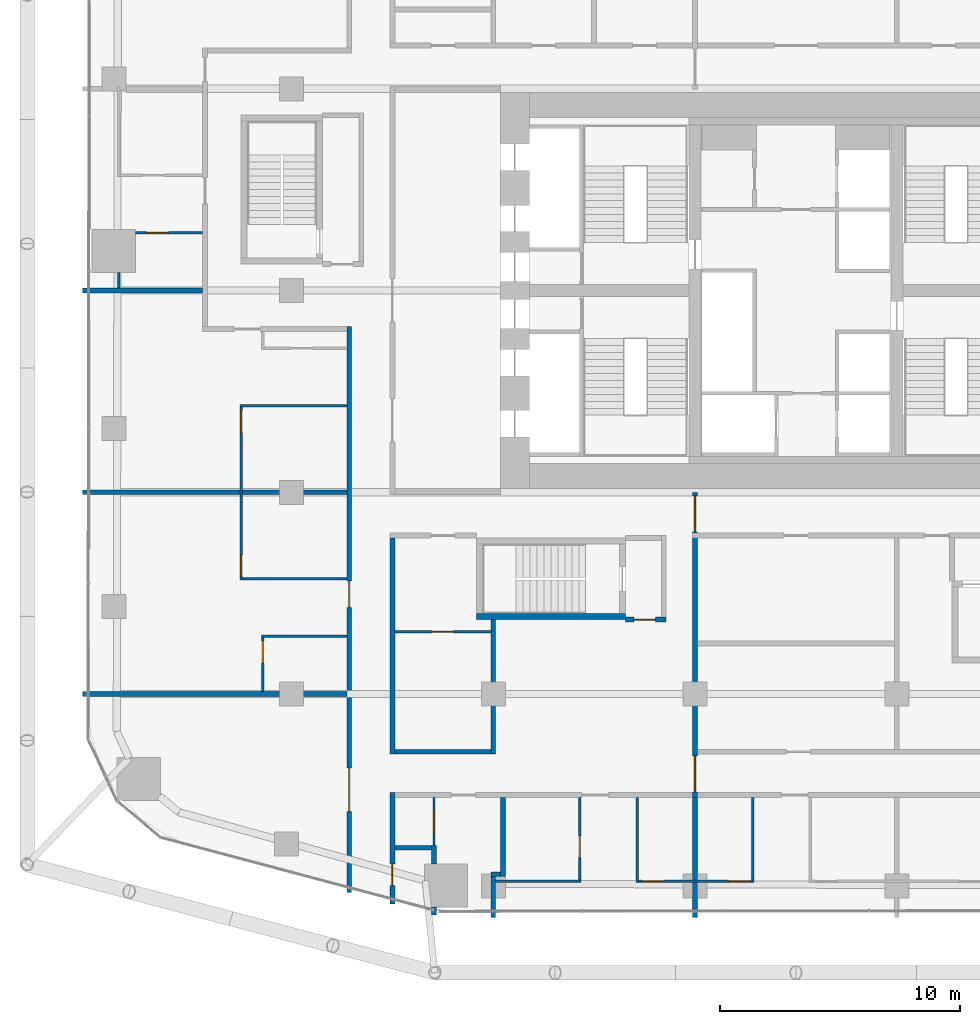
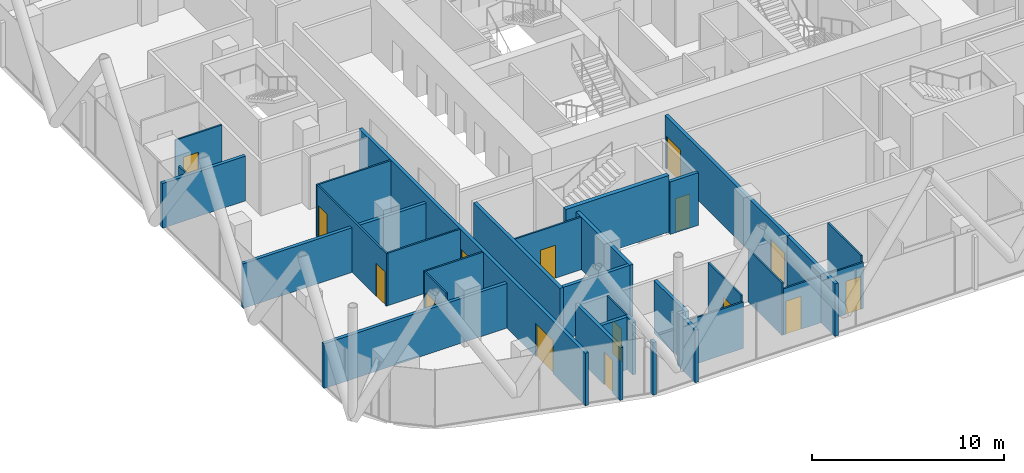
# One storey, part 24 of 34: 32 walls, 15 doors, 15 openings.
"""IFC4 building model written with IfcOpenShell, lengths in metres."""

from ifc_helpers import new_model, si_unit, direction, frame, frame_2d, origin, place, context, subcontext, project, spatial, rectangle, extrude, material, layer, layer_set, type_object, element, fill, save


model = new_model("IFC4")

# Units and contexts
model_context = context("Model", 3, precision=1e-05, world=origin(), true_north=direction((0.0, 1.0)))
body_context = subcontext(model_context, "Body", "Model", "MODEL_VIEW")
ifc_project = project(units=[si_unit("LENGTHUNIT", "METRE"), si_unit("AREAUNIT", "SQUARE_METRE"), si_unit("VOLUMEUNIT", "CUBIC_METRE"), si_unit("PLANEANGLEUNIT", "RADIAN"), si_unit("MASSUNIT", "GRAM", prefix="KILO")], contexts=[model_context])

# Site, building, storey
site_placement = place(None, origin())
site = spatial("IfcSite", under=ifc_project, at=site_placement, CompositionType="ELEMENT")
building_placement = place(site_placement, origin())
building = spatial("IfcBuilding", under=site, at=building_placement, Name="Marenta Gate Hotel Tower", CompositionType="ELEMENT")
storey_placement = place(building_placement, frame((0.0, 0.0, 47.300048828125)))
storey = spatial("IfcBuildingStorey", under=building, at=storey_placement, Name="L09", CompositionType="ELEMENT", Elevation=47.300048828125)

# Wall
ifc_material_1 = material(Name="Concrete blockwork", Category="masonry")
ifc_layer_1 = layer(ifc_material_1, 0.199951171875)
ifc_layer_set_1 = layer_set([ifc_layer_1], Name="Concrete blockwork")
wall_type_1 = type_object("IfcWallType", Name="Compartment wall 200 REI 180", PredefinedType="PARTITIONING", material=ifc_layer_set_1)
wall_1_placement = place(storey_placement, frame((-4.199951171875, -17.699951171875, 0.0), z_axis=(0.0, 0.0, 1.0), x_axis=(0.0, 1.0, 0.0)))
element("IfcWall", 1, at=wall_1_placement, inside=storey, type_object=wall_type_1, Name="L09-PTN-W068", PredefinedType="PARTITIONING", context=body_context, shape_type="SweptSolid", body=[
    extrude(rectangle(XDim=5.0, YDim=0.199951171875, at=frame_2d((2.5, 0.0))), origin(), (0.0, 0.0, 1.0), 3.33984375),
])

# Wall, openings, doors
wall_2_placement = place(storey_placement, frame((-4.199951171875, -12.699951171875, 0.0), z_axis=(0.0, 0.0, 1.0), x_axis=(0.0, 1.0, 0.0)))
wall_2 = element("IfcWall", 2, at=wall_2_placement, inside=storey, type_object=wall_type_1, Name="L09-PTN-W071", PredefinedType="PARTITIONING", context=body_context, shape_type="SweptSolid", body=[
    extrude(rectangle(XDim=12.699951171875, YDim=0.199951171875, at=frame_2d((6.35009765625, 0.0))), origin(), (0.0, 0.0, 1.0), 3.33984375),
])
opening_1_placement = place(wall_2_placement, frame((11.050048828125, 0.0, 0.0)))
opening_1 = element("IfcOpeningElement", 3, at=opening_1_placement, cuts=wall_2, Name="Opening G03-FD3", PredefinedType="OPENING", context=body_context, shape_type="SweptSolid", body=[
    extrude(rectangle(XDim=1.5, YDim=2.10009765625, at=frame_2d((0.75, 1.050048828125))), frame((0.0, 0.10009765625, 0.0), z_axis=(0.0, -1.0, 0.0), x_axis=(1.0, 0.0, 0.0)), (0.0, 0.0, 1.0), 0.199951171875),
])
opening_2_placement = place(wall_2_placement, frame((0.22509765625, 0.0, 0.0)))
opening_2 = element("IfcOpeningElement", 4, at=opening_2_placement, cuts=wall_2, Name="Opening G03-FD4", PredefinedType="OPENING", context=body_context, shape_type="SweptSolid", body=[
    extrude(rectangle(XDim=1.5, YDim=2.10009765625, at=frame_2d((0.75, 1.050048828125))), frame((0.0, 0.10009765625, 0.0), z_axis=(0.0, -1.0, 0.0), x_axis=(1.0, 0.0, 0.0)), (0.0, 0.0, 1.0), 0.199951171875),
])
ifc_material_2 = material(Name="Hollow steel door set", Category="steel")
door_type_1 = type_object("IfcDoorType", Name="Compartment fire door 1500x2100 EI 60", OperationType="DOUBLE_DOOR_DOUBLE_SWING", PredefinedType="DOOR", material=ifc_material_2)
door_1_placement = place(opening_1_placement, origin())
door_1 = element("IfcDoor", 5, at=door_1_placement, inside=storey, type_object=door_type_1, Name="L09-PD-FD03", OperationType="DOUBLE_DOOR_DOUBLE_SWING", OverallHeight=2.10009765625, OverallWidth=1.5, PredefinedType="DOOR", context=body_context, shape_type="SweptSolid", body=[
    extrude(rectangle(XDim=1.5, YDim=2.10009765625, at=frame_2d((0.75, 1.050048828125))), frame((0.0, 0.02490234375, 0.0), z_axis=(0.0, -1.0, 0.0), x_axis=(1.0, 0.0, 0.0)), (0.0, 0.0, 1.0), 0.050048828125),
])
fill(opening_1, door_1)
door_2_placement = place(opening_2_placement, origin())
door_2 = element("IfcDoor", 6, at=door_2_placement, inside=storey, type_object=door_type_1, Name="L09-PD-FD04", OperationType="DOUBLE_DOOR_DOUBLE_SWING", OverallHeight=2.10009765625, OverallWidth=1.5, PredefinedType="DOOR", context=body_context, shape_type="SweptSolid", body=[
    extrude(rectangle(XDim=1.5, YDim=2.10009765625, at=frame_2d((0.75, 1.050048828125))), frame((0.0, 0.02490234375, 0.0), z_axis=(0.0, -1.0, 0.0), x_axis=(1.0, 0.0, 0.0)), (0.0, 0.0, 1.0), 0.050048828125),
])
fill(opening_2, door_2)

# Wall
ifc_material_3 = material(Name="Concrete C40", Category="concrete")
ifc_layer_2 = layer(ifc_material_3, 0.25)
ifc_layer_set_2 = layer_set([ifc_layer_2], Name="Concrete C40")
wall_type_2 = type_object("IfcWallType", Name="Remote stair enclosure wall 250 REI 180", PredefinedType="SHEAR", material=ifc_layer_set_2)
wall_3_placement = place(storey_placement, frame((-13.300048828125, -5.175048828125, 0.099853515625), z_axis=(0.0, 0.0, 1.0), x_axis=(1.0, 0.0, 0.0)))
element("IfcWall", 7, at=wall_3_placement, inside=storey, type_object=wall_type_2, Name="L09-RS-Z1-2-W1", PredefinedType="SHEAR", context=body_context, shape_type="SweptSolid", body=[
    extrude(rectangle(XDim=6.199951171875, YDim=0.25, at=frame_2d((3.10009765625, 0.0))), origin(), (0.0, 0.0, 1.0), 3.60009765625),
])

# Wall, opening, door
ifc_material_4 = material(Name="Concrete blockwork", Category="masonry")
ifc_layer_3 = layer(ifc_material_4, 0.199951171875)
ifc_layer_set_3 = layer_set([ifc_layer_3], Name="Concrete blockwork")
wall_type_3 = type_object("IfcWallType", Name="Room corridor wall 200 EI 120", PredefinedType="PARTITIONING", material=ifc_layer_set_3)
wall_4_placement = place(storey_placement, frame((-16.800048828125, -17.14306640625, 0.0), z_axis=(0.0, 0.0, 1.0), x_axis=(0.0, 1.0, 0.0)))
wall_4 = element("IfcWall", 8, at=wall_4_placement, inside=storey, type_object=wall_type_3, Name="L09-PTN-W099", PredefinedType="PARTITIONING", context=body_context, shape_type="SweptSolid", body=[
    extrude(rectangle(XDim=4.64306640625, YDim=0.199951171875, at=frame_2d((2.321533203125, 0.0))), origin(), (0.0, 0.0, 1.0), 3.33984375),
])
opening_3_placement = place(wall_4_placement, frame((0.77197265625, 0.0, 0.0)))
opening_3 = element("IfcOpeningElement", 9, at=opening_3_placement, cuts=wall_4, Name="Opening G03-72", PredefinedType="OPENING", context=body_context, shape_type="SweptSolid", body=[
    extrude(rectangle(XDim=0.89990234375, YDim=2.10009765625, at=frame_2d((0.449951171875, 1.050048828125))), frame((0.0, 0.10009765625, 0.0), z_axis=(0.0, -1.0, 0.0), x_axis=(1.0, 0.0, 0.0)), (0.0, 0.0, 1.0), 0.199951171875),
])
ifc_material_5 = material(Name="Hollow steel door set", Category="steel")
door_type_2 = type_object("IfcDoorType", Name="Room service door 900x2100 EI 60", OperationType="NOTDEFINED", PredefinedType="DOOR", material=ifc_material_5)
door_3_placement = place(opening_3_placement, origin())
door_3 = element("IfcDoor", 10, at=door_3_placement, inside=storey, type_object=door_type_2, Name="L09-PD-D072", OperationType="SINGLE_SWING_LEFT", OverallHeight=2.10009765625, OverallWidth=0.89990234375, PredefinedType="DOOR", context=body_context, shape_type="SweptSolid", body=[
    extrude(rectangle(XDim=0.89990234375, YDim=2.10009765625, at=frame_2d((0.449951171875, 1.050048828125))), frame((0.0, 0.02490234375, 0.0), z_axis=(0.0, -1.0, 0.0), x_axis=(1.0, 0.0, 0.0)), (0.0, 0.0, 1.0), 0.050048828125),
])
fill(opening_3, door_3)

# Walls
ifc_material_6 = material(Name="Gypsum board on steel stud", Category="steel")
ifc_layer_4 = layer(ifc_material_6, 0.199951171875)
ifc_layer_set_4 = layer_set([ifc_layer_4], Name="Gypsum board on steel stud")
wall_type_4 = type_object("IfcWallType", Name="Room corridor wall 200 EI 60", PredefinedType="PARTITIONING", material=ifc_layer_set_4)
wall_5_placement = place(storey_placement, frame((-16.699951171875, -10.800048828125, 0.0), z_axis=(0.0, 0.0, 1.0), x_axis=(1.0, 0.0, 0.0)))
element("IfcWall", 11, at=wall_5_placement, inside=storey, type_object=wall_type_4, Name="L09-PTN-W031", PredefinedType="PARTITIONING", context=body_context, shape_type="SweptSolid", body=[
    extrude(rectangle(XDim=4.0, YDim=0.199951171875, at=frame_2d((2.0, 0.0))), origin(), (0.0, 0.0, 1.0), 3.33984375),
])
wall_6_placement = place(storey_placement, frame((-12.60009765625, -10.89990234375, 0.0), z_axis=(0.0, 0.0, 1.0), x_axis=(0.0, 1.0, 0.0)))
element("IfcWall", 12, at=wall_6_placement, inside=storey, type_object=wall_type_4, Name="L09-PTN-W090", PredefinedType="PARTITIONING", context=body_context, shape_type="SweptSolid", body=[
    extrude(rectangle(XDim=5.599853515625, YDim=0.199951171875, at=frame_2d((2.7998046875, 0.0))), origin(), (0.0, 0.0, 1.0), 3.33984375),
])
wall_7_placement = place(storey_placement, frame((-16.800048828125, -10.89990234375, 0.0), z_axis=(0.0, 0.0, 1.0), x_axis=(0.0, 1.0, 0.0)))
element("IfcWall", 13, at=wall_7_placement, inside=storey, type_object=wall_type_4, Name="L09-PTN-W100", PredefinedType="PARTITIONING", context=body_context, shape_type="SweptSolid", body=[
    extrude(rectangle(XDim=9.0, YDim=0.199951171875, at=frame_2d((4.5, 0.0))), origin(), (0.0, 0.0, 1.0), 3.33984375),
])

# Wall, openings, doors
wall_8_placement = place(storey_placement, frame((-18.60009765625, -16.6650390625, 0.0), z_axis=(0.0, 0.0, 1.0), x_axis=(0.0, 1.0, 0.0)))
wall_8 = element("IfcWall", 14, at=wall_8_placement, inside=storey, type_object=wall_type_4, Name="L09-PTN-W108", PredefinedType="PARTITIONING", context=body_context, shape_type="SweptSolid", body=[
    extrude(rectangle(XDim=23.56494140625, YDim=0.199951171875, at=frame_2d((11.782470703125, 0.0))), origin(), (0.0, 0.0, 1.0), 3.33984375),
])
opening_4_placement = place(wall_8_placement, frame((3.382080078125, 0.0, 0.0)))
opening_4 = element("IfcOpeningElement", 15, at=opening_4_placement, cuts=wall_8, Name="Opening G03-45", PredefinedType="OPENING", context=body_context, shape_type="SweptSolid", body=[
    extrude(rectangle(XDim=1.800048828125, YDim=2.10009765625, at=frame_2d((0.89990234375, 1.050048828125))), frame((0.0, 0.10009765625, 0.0), z_axis=(0.0, -1.0, 0.0), x_axis=(1.0, 0.0, 0.0)), (0.0, 0.0, 1.0), 0.199951171875),
])
opening_5_placement = place(wall_8_placement, frame((11.864990234375, 0.0, 0.0)))
opening_5 = element("IfcOpeningElement", 16, at=opening_5_placement, cuts=wall_8, Name="Opening G03-46", PredefinedType="OPENING", context=body_context, shape_type="SweptSolid", body=[
    extrude(rectangle(XDim=1.10009765625, YDim=2.10009765625, at=frame_2d((0.550048828125, 1.050048828125))), frame((0.0, 0.10009765625, 0.0), z_axis=(0.0, -1.0, 0.0), x_axis=(1.0, 0.0, 0.0)), (0.0, 0.0, 1.0), 0.199951171875),
])
ifc_material_7 = material(Name="Timber door leaf", Category="wood")
door_type_3 = type_object("IfcDoorType", Name="Guest room door 1100x2100 EI 30", OperationType="NOTDEFINED", PredefinedType="DOOR", material=ifc_material_7)
door_4_placement = place(opening_5_placement, origin())
door_4 = element("IfcDoor", 17, at=door_4_placement, inside=storey, type_object=door_type_3, Name="L09-PD-D046", OperationType="SINGLE_SWING_RIGHT", OverallHeight=2.10009765625, OverallWidth=1.10009765625, PredefinedType="DOOR", context=body_context, shape_type="SweptSolid", body=[
    extrude(rectangle(XDim=1.10009765625, YDim=2.10009765625, at=frame_2d((0.550048828125, 1.050048828125))), frame((0.0, 0.02490234375, 0.0), z_axis=(0.0, -1.0, 0.0), x_axis=(1.0, 0.0, 0.0)), (0.0, 0.0, 1.0), 0.050048828125),
])
fill(opening_5, door_4)
ifc_material_8 = material(Name="Timber door leaf", Category="wood")
door_type_4 = type_object("IfcDoorType", Name="Room amenity door 1800x2100 EI 30", OperationType="DOUBLE_DOOR_SINGLE_SWING", PredefinedType="DOOR", material=ifc_material_8)
door_5_placement = place(opening_4_placement, origin())
door_5 = element("IfcDoor", 18, at=door_5_placement, inside=storey, type_object=door_type_4, Name="L09-PD-D045", OperationType="DOUBLE_DOOR_SINGLE_SWING", OverallHeight=2.10009765625, OverallWidth=1.800048828125, PredefinedType="DOOR", context=body_context, shape_type="SweptSolid", body=[
    extrude(rectangle(XDim=1.800048828125, YDim=2.10009765625, at=frame_2d((0.89990234375, 1.050048828125))), frame((0.0, 0.02490234375, 0.0), z_axis=(0.0, -1.0, 0.0), x_axis=(1.0, 0.0, 0.0)), (0.0, 0.0, 1.0), 0.050048828125),
])
fill(opening_4, door_5)

# Wall, opening, door
ifc_material_9 = material(Name="Concrete blockwork", Category="masonry")
ifc_layer_5 = layer(ifc_material_9, 0.199951171875)
ifc_layer_set_5 = layer_set([ifc_layer_5], Name="Concrete blockwork")
wall_type_5 = type_object("IfcWallType", Name="Room corridor wall 200 REI 180", PredefinedType="PARTITIONING", material=ifc_layer_set_5)
wall_9_placement = place(storey_placement, frame((-7.10009765625, -5.300048828125, 0.0), z_axis=(0.0, 0.0, 1.0), x_axis=(1.0, 0.0, 0.0)))
wall_9 = element("IfcWall", 19, at=wall_9_placement, inside=storey, type_object=wall_type_5, Name="L09-PTN-W046", PredefinedType="PARTITIONING", context=body_context, shape_type="SweptSolid", body=[
    extrude(rectangle(XDim=1.7001953125, YDim=0.199951171875, at=frame_2d((0.85009765625, 0.0))), origin(), (0.0, 0.0, 1.0), 3.33984375),
])
opening_6_placement = place(wall_9_placement, frame((0.35009765625, 0.0, 0.0)))
opening_6 = element("IfcOpeningElement", 20, at=opening_6_placement, cuts=wall_9, Name="Opening G03-59", PredefinedType="OPENING", context=body_context, shape_type="SweptSolid", body=[
    extrude(rectangle(XDim=0.89990234375, YDim=2.10009765625, at=frame_2d((0.449951171875, 1.050048828125))), frame((0.0, 0.10009765625, 0.0), z_axis=(0.0, -1.0, 0.0), x_axis=(1.0, 0.0, 0.0)), (0.0, 0.0, 1.0), 0.199951171875),
])
ifc_material_10 = material(Name="Hollow steel door set", Category="steel")
door_type_5 = type_object("IfcDoorType", Name="Stair vestibule door 900x2100 EI 60", OperationType="NOTDEFINED", PredefinedType="DOOR", material=ifc_material_10)
door_6_placement = place(opening_6_placement, origin())
door_6 = element("IfcDoor", 21, at=door_6_placement, inside=storey, type_object=door_type_5, Name="L09-PD-D059", OperationType="SINGLE_SWING_RIGHT", OverallHeight=2.10009765625, OverallWidth=0.89990234375, PredefinedType="DOOR", context=body_context, shape_type="SweptSolid", body=[
    extrude(rectangle(XDim=0.89990234375, YDim=2.10009765625, at=frame_2d((0.449951171875, 1.050048828125))), frame((0.0, 0.02490234375, 0.0), z_axis=(0.0, -1.0, 0.0), x_axis=(1.0, 0.0, 0.0)), (0.0, 0.0, 1.0), 0.050048828125),
])
fill(opening_6, door_6)

# Wall
ifc_material_11 = material(Name="Gypsum board on steel stud", Category="steel")
ifc_layer_6 = layer(ifc_material_11, 0.10009765625)
ifc_layer_set_6 = layer_set([ifc_layer_6], Name="Gypsum board on steel stud")
wall_type_6 = type_object("IfcWallType", Name="Room partition 100", PredefinedType="PARTITIONING", material=ifc_layer_set_6)
wall_10_placement = place(storey_placement, frame((-12.5, -16.199951171875, 0.0), z_axis=(0.0, 0.0, 1.0), x_axis=(1.0, 0.0, 0.0)))
element("IfcWall", 22, at=wall_10_placement, inside=storey, type_object=wall_type_6, Name="L09-PTN-W015", PredefinedType="PARTITIONING", context=body_context, shape_type="SweptSolid", body=[
    extrude(rectangle(XDim=3.550048828125, YDim=0.10009765625, at=frame_2d((1.77490234375, 0.0))), origin(), (0.0, 0.0, 1.0), 2.93994140625),
])

# Wall, openings, doors
wall_11_placement = place(storey_placement, frame((-6.550048828125, -16.199951171875, 0.0), z_axis=(0.0, 0.0, 1.0), x_axis=(1.0, 0.0, 0.0)))
wall_11 = element("IfcWall", 23, at=wall_11_placement, inside=storey, type_object=wall_type_6, Name="L09-PTN-W016", PredefinedType="PARTITIONING", context=body_context, shape_type="SweptSolid", body=[
    extrude(rectangle(XDim=4.800048828125, YDim=0.10009765625, at=frame_2d((2.39990234375, 0.0))), origin(), (0.0, 0.0, 1.0), 2.93994140625),
])
opening_7_placement = place(wall_11_placement, frame((0.14990234375, 0.0, 0.0)))
opening_7 = element("IfcOpeningElement", 24, at=opening_7_placement, cuts=wall_11, Name="Opening G03-38", PredefinedType="OPENING", context=body_context, shape_type="SweptSolid", body=[
    extrude(rectangle(XDim=0.89990234375, YDim=2.10009765625, at=frame_2d((0.449951171875, 1.050048828125))), frame((0.0, 0.050048828125, 0.0), z_axis=(0.0, -1.0, 0.0), x_axis=(1.0, 0.0, 0.0)), (0.0, 0.0, 1.0), 0.10009765625),
])
opening_8_placement = place(wall_11_placement, frame((3.75, 0.0, 0.0)))
opening_8 = element("IfcOpeningElement", 25, at=opening_8_placement, cuts=wall_11, Name="Opening G03-41", PredefinedType="OPENING", context=body_context, shape_type="SweptSolid", body=[
    extrude(rectangle(XDim=0.89990234375, YDim=2.10009765625, at=frame_2d((0.449951171875, 1.050048828125))), frame((0.0, 0.050048828125, 0.0), z_axis=(0.0, -1.0, 0.0), x_axis=(1.0, 0.0, 0.0)), (0.0, 0.0, 1.0), 0.10009765625),
])
ifc_material_12 = material(Name="Timber door leaf", Category="wood")
door_type_6 = type_object("IfcDoorType", Name="Room inner door 900x2100", OperationType="NOTDEFINED", PredefinedType="DOOR", material=ifc_material_12)
door_7_placement = place(opening_7_placement, origin())
door_7 = element("IfcDoor", 26, at=door_7_placement, inside=storey, type_object=door_type_6, Name="L09-PD-D038", OperationType="SINGLE_SWING_LEFT", OverallHeight=2.10009765625, OverallWidth=0.89990234375, PredefinedType="DOOR", context=body_context, shape_type="SweptSolid", body=[
    extrude(rectangle(XDim=0.89990234375, YDim=2.10009765625, at=frame_2d((0.449951171875, 1.050048828125))), frame((0.0, 0.02490234375, 0.0), z_axis=(0.0, -1.0, 0.0), x_axis=(1.0, 0.0, 0.0)), (0.0, 0.0, 1.0), 0.050048828125),
])
fill(opening_7, door_7)
door_8_placement = place(opening_8_placement, origin())
door_8 = element("IfcDoor", 27, at=door_8_placement, inside=storey, type_object=door_type_6, Name="L09-PD-D041", OperationType="SINGLE_SWING_RIGHT", OverallHeight=2.10009765625, OverallWidth=0.89990234375, PredefinedType="DOOR", context=body_context, shape_type="SweptSolid", body=[
    extrude(rectangle(XDim=0.89990234375, YDim=2.10009765625, at=frame_2d((0.449951171875, 1.050048828125))), frame((0.0, 0.02490234375, 0.0), z_axis=(0.0, -1.0, 0.0), x_axis=(1.0, 0.0, 0.0)), (0.0, 0.0, 1.0), 0.050048828125),
])
fill(opening_8, door_8)

# Wall
wall_12_placement = place(storey_placement, frame((-22.25, -6.0, 0.0), z_axis=(0.0, 0.0, 1.0), x_axis=(1.0, 0.0, 0.0)))
element("IfcWall", 28, at=wall_12_placement, inside=storey, type_object=wall_type_6, Name="L09-PTN-W042", PredefinedType="PARTITIONING", context=body_context, shape_type="SweptSolid", body=[
    extrude(rectangle(XDim=3.550048828125, YDim=0.10009765625, at=frame_2d((1.77490234375, 0.0))), origin(), (0.0, 0.0, 1.0), 3.33984375),
])

# Wall, opening, door
wall_13_placement = place(storey_placement, frame((-16.699951171875, -5.800048828125, 0.0), z_axis=(0.0, 0.0, 1.0), x_axis=(1.0, 0.0, 0.0)))
wall_13 = element("IfcWall", 29, at=wall_13_placement, inside=storey, type_object=wall_type_6, Name="L09-PTN-W045", PredefinedType="PARTITIONING", context=body_context, shape_type="SweptSolid", body=[
    extrude(rectangle(XDim=4.0, YDim=0.10009765625, at=frame_2d((2.0, 0.0))), origin(), (0.0, 0.0, 1.0), 3.33984375),
])
opening_9_placement = place(wall_13_placement, frame((1.550048828125, 0.0, 0.0)))
opening_9 = element("IfcOpeningElement", 30, at=opening_9_placement, cuts=wall_13, Name="Opening G03-05", PredefinedType="OPENING", context=body_context, shape_type="SweptSolid", body=[
    extrude(rectangle(XDim=0.89990234375, YDim=2.10009765625, at=frame_2d((0.449951171875, 1.050048828125))), frame((0.0, 0.050048828125, 0.0), z_axis=(0.0, -1.0, 0.0), x_axis=(1.0, 0.0, 0.0)), (0.0, 0.0, 1.0), 0.10009765625),
])
door_9_placement = place(opening_9_placement, origin())
door_9 = element("IfcDoor", 31, at=door_9_placement, inside=storey, type_object=door_type_6, Name="L09-PD-D005", OperationType="SINGLE_SWING_LEFT", OverallHeight=2.10009765625, OverallWidth=0.89990234375, PredefinedType="DOOR", context=body_context, shape_type="SweptSolid", body=[
    extrude(rectangle(XDim=0.89990234375, YDim=2.10009765625, at=frame_2d((0.449951171875, 1.050048828125))), frame((0.0, 0.02490234375, 0.0), z_axis=(0.0, -1.0, 0.0), x_axis=(1.0, 0.0, 0.0)), (0.0, 0.0, 1.0), 0.050048828125),
])
fill(opening_9, door_9)

# Walls
wall_14_placement = place(storey_placement, frame((-23.050048828125, -3.60009765625, 0.0), z_axis=(0.0, 0.0, 1.0), x_axis=(1.0, 0.0, 0.0)))
element("IfcWall", 32, at=wall_14_placement, inside=storey, type_object=wall_type_6, Name="L09-PTN-W052", PredefinedType="PARTITIONING", context=body_context, shape_type="SweptSolid", body=[
    extrude(rectangle(XDim=4.35009765625, YDim=0.10009765625, at=frame_2d((2.175048828125, 0.0))), origin(), (0.0, 0.0, 1.0), 3.33984375),
])
wall_15_placement = place(storey_placement, frame((-1.800048828125, -16.14990234375, 0.0), z_axis=(0.0, 0.0, 1.0), x_axis=(0.0, 1.0, 0.0)))
element("IfcWall", 33, at=wall_15_placement, inside=storey, type_object=wall_type_6, Name="L09-PTN-W064", PredefinedType="PARTITIONING", context=body_context, shape_type="SweptSolid", body=[
    extrude(rectangle(XDim=3.449951171875, YDim=0.10009765625, at=frame_2d((1.72509765625, 0.0))), origin(), (0.0, 0.0, 1.0), 3.33984375),
])
wall_16_placement = place(storey_placement, frame((-23.14990234375, 3.60009765625, 0.0), z_axis=(0.0, 0.0, 1.0), x_axis=(1.0, 0.0, 0.0)))
element("IfcWall", 34, at=wall_16_placement, inside=storey, type_object=wall_type_6, Name="L09-PTN-W066", PredefinedType="PARTITIONING", context=body_context, shape_type="SweptSolid", body=[
    extrude(rectangle(XDim=4.449951171875, YDim=0.10009765625, at=frame_2d((2.22509765625, 0.0))), origin(), (0.0, 0.0, 1.0), 3.33984375),
])
wall_17_placement = place(storey_placement, frame((-6.60009765625, -16.25, 0.0), z_axis=(0.0, 0.0, 1.0), x_axis=(0.0, 1.0, 0.0)))
element("IfcWall", 35, at=wall_17_placement, inside=storey, type_object=wall_type_6, Name="L09-PTN-W075", PredefinedType="PARTITIONING", context=body_context, shape_type="SweptSolid", body=[
    extrude(rectangle(XDim=3.550048828125, YDim=0.10009765625, at=frame_2d((1.77490234375, 0.0))), origin(), (0.0, 0.0, 1.0), 3.33984375),
])

# Wall, opening, door
wall_18_placement = place(storey_placement, frame((-9.0, -16.14990234375, 0.0), z_axis=(0.0, 0.0, 1.0), x_axis=(0.0, 1.0, 0.0)))
wall_18 = element("IfcWall", 36, at=wall_18_placement, inside=storey, type_object=wall_type_6, Name="L09-PTN-W081", PredefinedType="PARTITIONING", context=body_context, shape_type="SweptSolid", body=[
    extrude(rectangle(XDim=3.449951171875, YDim=0.10009765625, at=frame_2d((1.72509765625, 0.0))), origin(), (0.0, 0.0, 1.0), 3.33984375),
])
opening_10_placement = place(wall_18_placement, frame((0.93994140625, 0.0, 0.0)))
opening_10 = element("IfcOpeningElement", 37, at=opening_10_placement, cuts=wall_18, Name="Opening G03-37", PredefinedType="OPENING", context=body_context, shape_type="SweptSolid", body=[
    extrude(rectangle(XDim=0.89990234375, YDim=2.10009765625, at=frame_2d((0.449951171875, 1.050048828125))), frame((0.0, 0.050048828125, 0.0), z_axis=(0.0, -1.0, 0.0), x_axis=(1.0, 0.0, 0.0)), (0.0, 0.0, 1.0), 0.10009765625),
])
ifc_material_13 = material(Name="Timber door leaf", Category="wood")
door_type_7 = type_object("IfcDoorType", Name="Guest bathroom door 900x2100", OperationType="NOTDEFINED", PredefinedType="DOOR", material=ifc_material_13)
door_10_placement = place(opening_10_placement, origin())
door_10 = element("IfcDoor", 38, at=door_10_placement, inside=storey, type_object=door_type_7, Name="L09-PD-D037", OperationType="SINGLE_SWING_LEFT", OverallHeight=2.10009765625, OverallWidth=0.89990234375, PredefinedType="DOOR", context=body_context, shape_type="SweptSolid", body=[
    extrude(rectangle(XDim=0.89990234375, YDim=2.10009765625, at=frame_2d((0.449951171875, 1.050048828125))), frame((0.0, 0.02490234375, 0.0), z_axis=(0.0, -1.0, 0.0), x_axis=(1.0, 0.0, 0.0)), (0.0, 0.0, 1.0), 0.050048828125),
])
fill(opening_10, door_10)

wall_19_placement = place(storey_placement, frame((-27.5, 10.800048828125, 0.0), z_axis=(0.0, 0.0, 1.0), x_axis=(1.0, 0.0, 0.0)))
wall_19 = element("IfcWall", 39, at=wall_19_placement, inside=storey, type_object=wall_type_6, Name="L09-PTN-W085", PredefinedType="PARTITIONING", context=body_context, shape_type="SweptSolid", body=[
    extrude(rectangle(XDim=2.800048828125, YDim=0.10009765625, at=frame_2d((1.39990234375, 0.0))), origin(), (0.0, 0.0, 1.0), 3.33984375),
])
opening_11_placement = place(wall_19_placement, frame((0.469970703125, 0.0, 0.0)))
opening_11 = element("IfcOpeningElement", 40, at=opening_11_placement, cuts=wall_19, Name="Opening G03-54", PredefinedType="OPENING", context=body_context, shape_type="SweptSolid", body=[
    extrude(rectangle(XDim=0.89990234375, YDim=2.10009765625, at=frame_2d((0.449951171875, 1.050048828125))), frame((0.0, 0.050048828125, 0.0), z_axis=(0.0, -1.0, 0.0), x_axis=(1.0, 0.0, 0.0)), (0.0, 0.0, 1.0), 0.10009765625),
])
door_11_placement = place(opening_11_placement, origin())
door_11 = element("IfcDoor", 41, at=door_11_placement, inside=storey, type_object=door_type_6, Name="L09-PD-D054", OperationType="SINGLE_SWING_RIGHT", OverallHeight=2.10009765625, OverallWidth=0.89990234375, PredefinedType="DOOR", context=body_context, shape_type="SweptSolid", body=[
    extrude(rectangle(XDim=0.89990234375, YDim=2.10009765625, at=frame_2d((0.449951171875, 1.050048828125))), frame((0.0, 0.02490234375, 0.0), z_axis=(0.0, -1.0, 0.0), x_axis=(1.0, 0.0, 0.0)), (0.0, 0.0, 1.0), 0.050048828125),
])
fill(opening_11, door_11)

wall_20_placement = place(storey_placement, frame((-15.06591796875, -14.89990234375, 0.0), z_axis=(0.0, 0.0, 1.0), x_axis=(0.0, 1.0, 0.0)))
wall_20 = element("IfcWall", 42, at=wall_20_placement, inside=storey, type_object=wall_type_6, Name="L09-PTN-W097", PredefinedType="PARTITIONING", context=body_context, shape_type="SweptSolid", body=[
    extrude(rectangle(XDim=2.199951171875, YDim=0.10009765625, at=frame_2d((1.10009765625, 0.0))), origin(), (0.0, 0.0, 1.0), 3.33984375),
])
opening_12_placement = place(wall_20_placement, frame((0.75, 0.0, 0.0)))
opening_12 = element("IfcOpeningElement", 43, at=opening_12_placement, cuts=wall_20, Name="Opening G03-71", PredefinedType="OPENING", context=body_context, shape_type="SweptSolid", body=[
    extrude(rectangle(XDim=0.89990234375, YDim=2.10009765625, at=frame_2d((0.449951171875, 1.050048828125))), frame((0.0, 0.050048828125, 0.0), z_axis=(0.0, -1.0, 0.0), x_axis=(1.0, 0.0, 0.0)), (0.0, 0.0, 1.0), 0.10009765625),
])
door_12_placement = place(opening_12_placement, origin())
door_12 = element("IfcDoor", 44, at=door_12_placement, inside=storey, type_object=door_type_7, Name="L09-PD-D071", OperationType="SINGLE_SWING_RIGHT", OverallHeight=2.10009765625, OverallWidth=0.89990234375, PredefinedType="DOOR", context=body_context, shape_type="SweptSolid", body=[
    extrude(rectangle(XDim=0.89990234375, YDim=2.10009765625, at=frame_2d((0.449951171875, 1.050048828125))), frame((0.0, 0.02490234375, 0.0), z_axis=(0.0, -1.0, 0.0), x_axis=(1.0, 0.0, 0.0)), (0.0, 0.0, 1.0), 0.050048828125),
])
fill(opening_12, door_12)

wall_21_placement = place(storey_placement, frame((-22.199951171875, -8.300048828125, 0.0), z_axis=(0.0, 0.0, 1.0), x_axis=(0.0, 1.0, 0.0)))
wall_21 = element("IfcWall", 45, at=wall_21_placement, inside=storey, type_object=wall_type_6, Name="L09-PTN-W117", PredefinedType="PARTITIONING", context=body_context, shape_type="SweptSolid", body=[
    extrude(rectangle(XDim=2.25, YDim=0.10009765625, at=frame_2d((1.125, 0.0))), origin(), (0.0, 0.0, 1.0), 3.33984375),
])
opening_13_placement = place(wall_21_placement, frame((1.199951171875, 0.0, 0.0)))
opening_13 = element("IfcOpeningElement", 46, at=opening_13_placement, cuts=wall_21, Name="Opening G03-48", PredefinedType="OPENING", context=body_context, shape_type="SweptSolid", body=[
    extrude(rectangle(XDim=0.89990234375, YDim=2.10009765625, at=frame_2d((0.449951171875, 1.050048828125))), frame((0.0, 0.050048828125, 0.0), z_axis=(0.0, -1.0, 0.0), x_axis=(1.0, 0.0, 0.0)), (0.0, 0.0, 1.0), 0.10009765625),
])
door_13_placement = place(opening_13_placement, origin())
door_13 = element("IfcDoor", 47, at=door_13_placement, inside=storey, type_object=door_type_6, Name="L09-PD-D048", OperationType="SINGLE_SWING_LEFT", OverallHeight=2.10009765625, OverallWidth=0.89990234375, PredefinedType="DOOR", context=body_context, shape_type="SweptSolid", body=[
    extrude(rectangle(XDim=0.89990234375, YDim=2.10009765625, at=frame_2d((0.449951171875, 1.050048828125))), frame((0.0, 0.02490234375, 0.0), z_axis=(0.0, -1.0, 0.0), x_axis=(1.0, 0.0, 0.0)), (0.0, 0.0, 1.0), 0.050048828125),
])
fill(opening_13, door_13)

# Wall, openings, doors
wall_22_placement = place(storey_placement, frame((-23.10009765625, -3.64990234375, 0.0), z_axis=(0.0, 0.0, 1.0), x_axis=(0.0, 1.0, 0.0)))
wall_22 = element("IfcWall", 48, at=wall_22_placement, inside=storey, type_object=wall_type_6, Name="L09-PTN-W121", PredefinedType="PARTITIONING", context=body_context, shape_type="SweptSolid", body=[
    extrude(rectangle(XDim=7.199951171875, YDim=0.10009765625, at=frame_2d((3.60009765625, 0.0))), origin(), (0.0, 0.0, 1.0), 3.33984375),
])
opening_14_placement = place(wall_22_placement, frame((0.14990234375, 0.0, 0.0)))
opening_14 = element("IfcOpeningElement", 49, at=opening_14_placement, cuts=wall_22, Name="Opening G03-47", PredefinedType="OPENING", context=body_context, shape_type="SweptSolid", body=[
    extrude(rectangle(XDim=0.89990234375, YDim=2.10009765625, at=frame_2d((0.449951171875, 1.050048828125))), frame((0.0, 0.050048828125, 0.0), z_axis=(0.0, -1.0, 0.0), x_axis=(1.0, 0.0, 0.0)), (0.0, 0.0, 1.0), 0.10009765625),
])
opening_15_placement = place(wall_22_placement, frame((6.14990234375, 0.0, 0.0)))
opening_15 = element("IfcOpeningElement", 50, at=opening_15_placement, cuts=wall_22, Name="Opening G03-50", PredefinedType="OPENING", context=body_context, shape_type="SweptSolid", body=[
    extrude(rectangle(XDim=0.89990234375, YDim=2.10009765625, at=frame_2d((0.449951171875, 1.050048828125))), frame((0.0, 0.050048828125, 0.0), z_axis=(0.0, -1.0, 0.0), x_axis=(1.0, 0.0, 0.0)), (0.0, 0.0, 1.0), 0.10009765625),
])
door_14_placement = place(opening_14_placement, origin())
door_14 = element("IfcDoor", 51, at=door_14_placement, inside=storey, type_object=door_type_7, Name="L09-PD-D047", OperationType="SINGLE_SWING_RIGHT", OverallHeight=2.10009765625, OverallWidth=0.89990234375, PredefinedType="DOOR", context=body_context, shape_type="SweptSolid", body=[
    extrude(rectangle(XDim=0.89990234375, YDim=2.10009765625, at=frame_2d((0.449951171875, 1.050048828125))), frame((0.0, 0.02490234375, 0.0), z_axis=(0.0, -1.0, 0.0), x_axis=(1.0, 0.0, 0.0)), (0.0, 0.0, 1.0), 0.050048828125),
])
fill(opening_14, door_14)
door_15_placement = place(opening_15_placement, origin())
door_15 = element("IfcDoor", 52, at=door_15_placement, inside=storey, type_object=door_type_7, Name="L09-PD-D050", OperationType="SINGLE_SWING_LEFT", OverallHeight=2.10009765625, OverallWidth=0.89990234375, PredefinedType="DOOR", context=body_context, shape_type="SweptSolid", body=[
    extrude(rectangle(XDim=0.89990234375, YDim=2.10009765625, at=frame_2d((0.449951171875, 1.050048828125))), frame((0.0, 0.02490234375, 0.0), z_axis=(0.0, -1.0, 0.0), x_axis=(1.0, 0.0, 0.0)), (0.0, 0.0, 1.0), 0.050048828125),
])
fill(opening_15, door_15)

# Walls
wall_23_placement = place(storey_placement, frame((-28.199951171875, 8.5, 0.0), z_axis=(0.0, 0.0, 1.0), x_axis=(0.0, 1.0, 0.0)))
element("IfcWall", 53, at=wall_23_placement, inside=storey, type_object=wall_type_6, Name="L09-PTN-W132", PredefinedType="PARTITIONING", context=body_context, shape_type="SweptSolid", body=[
    extrude(rectangle(XDim=0.64990234375, YDim=0.10009765625, at=frame_2d((0.324951171875, 0.0))), origin(), (0.0, 0.0, 1.0), 2.93994140625),
])
ifc_material_14 = material(Name="Concrete blockwork", Category="masonry")
ifc_layer_7 = layer(ifc_material_14, 0.199951171875)
ifc_layer_set_7 = layer_set([ifc_layer_7], Name="Concrete blockwork")
wall_type_7 = type_object("IfcWallType", Name="Room party wall 200 EI 120", PredefinedType="PARTITIONING", material=ifc_layer_set_7)
wall_24_placement = place(storey_placement, frame((-16.699951171875, -14.800048828125, 0.0), z_axis=(0.0, 0.0, 1.0), x_axis=(1.0, 0.0, 0.0)))
element("IfcWall", 54, at=wall_24_placement, inside=storey, type_object=wall_type_7, Name="L09-PTN-W023", PredefinedType="PARTITIONING", context=body_context, shape_type="SweptSolid", body=[
    extrude(rectangle(XDim=1.583984375, YDim=0.199951171875, at=frame_2d((0.7919921875, 0.0))), origin(), (0.0, 0.0, 1.0), 3.33984375),
])
wall_25_placement = place(storey_placement, frame((-15.06591796875, -17.593017578125, 0.0), z_axis=(0.0, 0.0, 1.0), x_axis=(0.0, 1.0, 0.0)))
element("IfcWall", 55, at=wall_25_placement, inside=storey, type_object=wall_type_7, Name="L09-PTN-W096", PredefinedType="PARTITIONING", context=body_context, shape_type="SweptSolid", body=[
    extrude(rectangle(XDim=0.318115234375, YDim=0.199951171875, at=frame_2d((0.1591796875, 0.0))), origin(), (0.0, 0.0, 1.0), 3.33984375),
])
wall_26_placement = place(storey_placement, frame((-15.06591796875, -15.47509765625, 0.0), z_axis=(0.0, 0.0, 1.0), x_axis=(0.0, 1.0, 0.0)))
element("IfcWall", 56, at=wall_26_placement, inside=storey, type_object=wall_type_7, Name="L09-PTN-W139", PredefinedType="PARTITIONING", context=body_context, shape_type="SweptSolid", body=[
    extrude(rectangle(XDim=0.775146484375, YDim=0.199951171875, at=frame_2d((0.3876953125, 0.0))), origin(), (0.0, 0.0, 1.0), 3.33984375),
])
ifc_material_15 = material(Name="Gypsum board on steel stud", Category="steel")
ifc_layer_8 = layer(ifc_material_15, 0.199951171875)
ifc_layer_set_8 = layer_set([ifc_layer_8], Name="Gypsum board on steel stud")
wall_type_8 = type_object("IfcWallType", Name="Room party wall 200 EI 60", PredefinedType="PARTITIONING", material=ifc_layer_set_8)
wall_27_placement = place(storey_placement, frame((-12.699951171875, -15.89990234375, 0.0), z_axis=(0.0, 0.0, 1.0), x_axis=(1.0, 0.0, 0.0)))
element("IfcWall", 57, at=wall_27_placement, inside=storey, type_object=wall_type_8, Name="L09-PTN-W019", PredefinedType="PARTITIONING", context=body_context, shape_type="SweptSolid", body=[
    extrude(rectangle(XDim=0.39990234375, YDim=0.199951171875, at=frame_2d((0.199951171875, 0.0))), origin(), (0.0, 0.0, 1.0), 3.33984375),
])
for number, where, z_axis, x_axis, name in (
    (58, (-29.699951171875, -8.39990234375, 0.0), (0.0, 0.0, 1.0), (1.0, 0.0, 0.0), "L09-PTN-W035"),
    (59, (-29.699951171875, 0.0, 0.0), (0.0, 0.0, 1.0), (1.0, 0.0, 0.0), "L09-PTN-W061"),
):
    element("IfcWall", number, at=place(storey_placement, frame(where, z_axis=z_axis, x_axis=x_axis)), inside=storey, type_object=wall_type_8, Name=name, PredefinedType="PARTITIONING", context=body_context, shape_type="SweptSolid", body=[
        extrude(rectangle(XDim=11.0, YDim=0.199951171875, at=frame_2d((5.5, 0.0))), origin(), (0.0, 0.0, 1.0), 2.83984375),
    ])
wall_28_placement = place(storey_placement, frame((-29.699951171875, 8.39990234375, 0.0), z_axis=(0.0, 0.0, 1.0), x_axis=(1.0, 0.0, 0.0)))
element("IfcWall", 60, at=wall_28_placement, inside=storey, type_object=wall_type_8, Name="L09-PTN-W079", PredefinedType="PARTITIONING", context=body_context, shape_type="SweptSolid", body=[
    extrude(rectangle(XDim=5.0, YDim=0.199951171875, at=frame_2d((2.5, 0.0))), origin(), (0.0, 0.0, 1.0), 2.83984375),
])
wall_29_placement = place(storey_placement, frame((-12.199951171875, -16.0, 0.0), z_axis=(0.0, 0.0, 1.0), x_axis=(0.0, 1.0, 0.0)))
element("IfcWall", 61, at=wall_29_placement, inside=storey, type_object=wall_type_8, Name="L09-PTN-W086", PredefinedType="PARTITIONING", context=body_context, shape_type="SweptSolid", body=[
    extrude(rectangle(XDim=3.300048828125, YDim=0.199951171875, at=frame_2d((1.64990234375, 0.0))), origin(), (0.0, 0.0, 1.0), 3.33984375),
])
wall_30_placement = place(storey_placement, frame((-12.60009765625, -17.699951171875, 0.0), z_axis=(0.0, 0.0, 1.0), x_axis=(0.0, 1.0, 0.0)))
element("IfcWall", 62, at=wall_30_placement, inside=storey, type_object=wall_type_8, Name="L09-PTN-W087", PredefinedType="PARTITIONING", context=body_context, shape_type="SweptSolid", body=[
    extrude(rectangle(XDim=1.699951171875, YDim=0.199951171875, at=frame_2d((0.85009765625, 0.0))), origin(), (0.0, 0.0, 1.0), 3.33984375),
])

save(model, "model.ifc")
